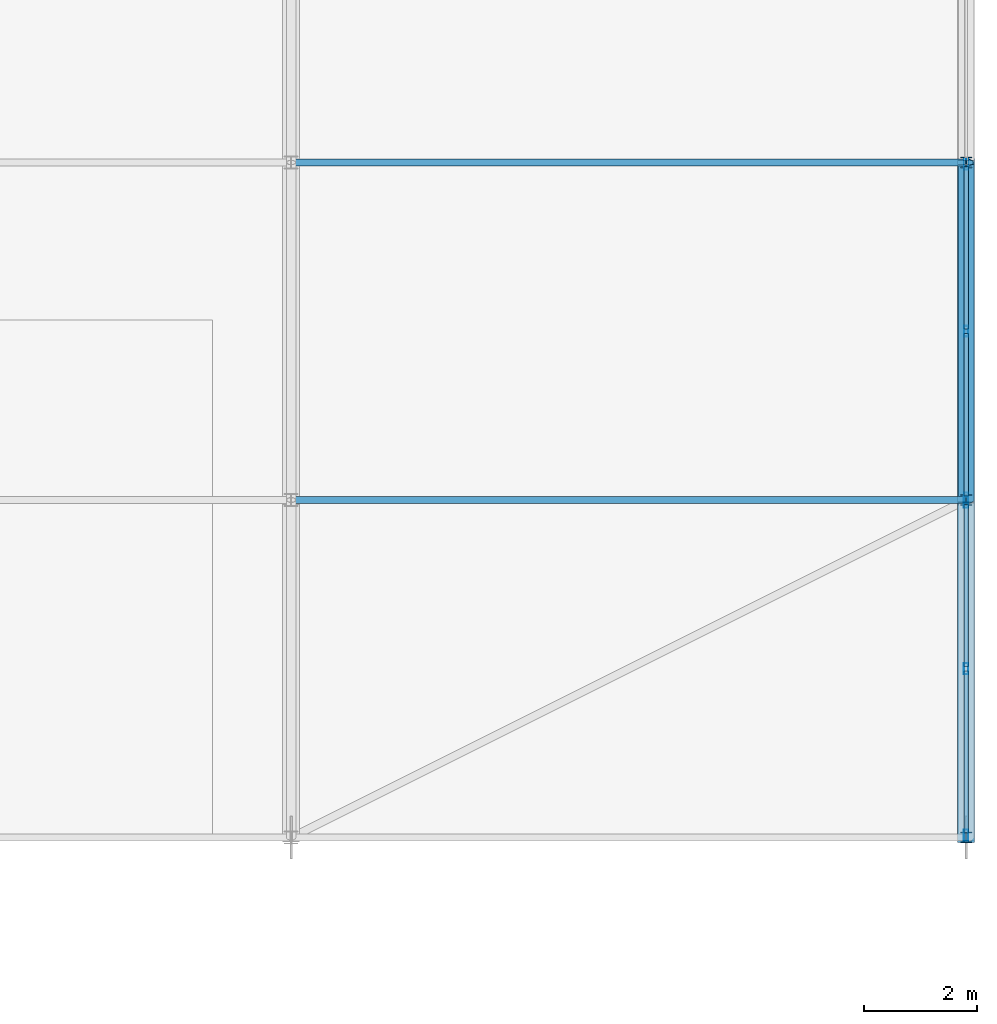
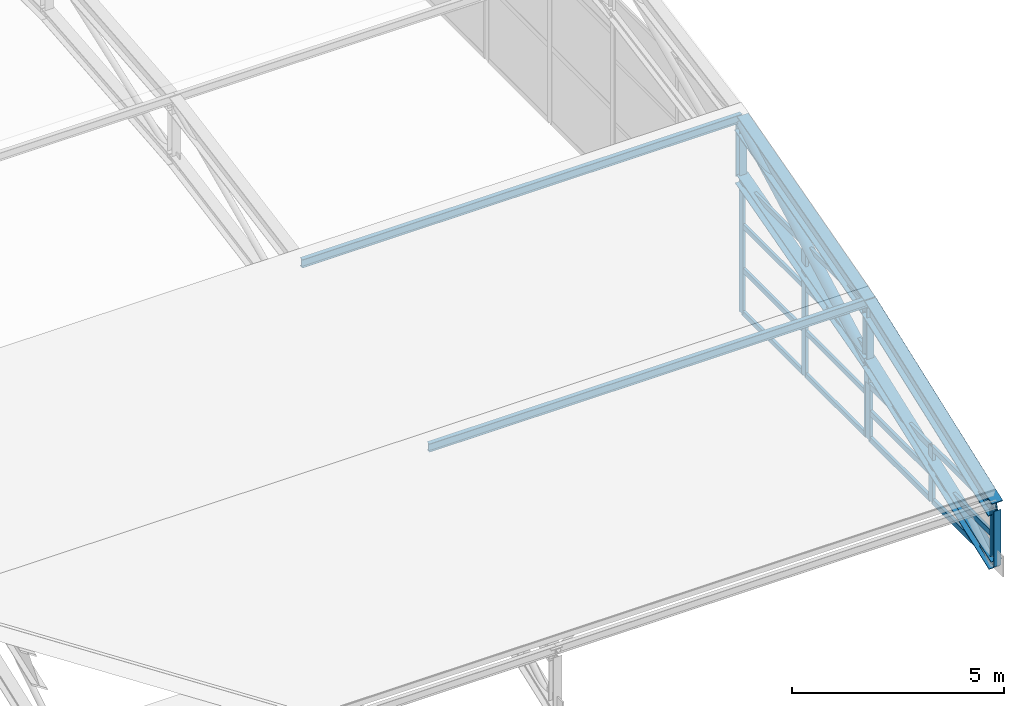
# One storey, part 106 of 204: 30 members, 2 elements without a shape of their own.
"""IFC4 building model written with IfcOpenShell, lengths in metres."""

import ifcopenshell
import ifcopenshell.guid

model = None  # the IFC model being written
_history = None  # IfcOwnerHistory: only IFC2X3 demands one
_inside = {}  # id of a spatial element -> (the spatial element, [elements in it])
_under = {}  # id of a project, library or spatial element -> (it, [spatial elements below it])
_declared = {}  # id of a project -> (the project, [libraries it declares])
_typed = {}  # id of a type object -> (the type object, [elements of that type])
_made_of = {}  # id of a material, layer set ... -> (it, [elements and type objects made of it])


def new_model(schema):
    """Start an empty IFC model of exactly this schema.

    Asked for "IFC4X3", IfcOpenShell would pick the latest addendum, in which some entities
    have other attributes; the version numbers below select the first issue.
    IFC2X3 requires an IfcOwnerHistory on every rooted entity: one is made here for all.
    """
    global model, _history
    if schema == "IFC4X3":
        model = ifcopenshell.file(schema_version=(4, 3, 0, 0))
    else:
        model = ifcopenshell.file(schema=schema)
    _inside.clear()
    _under.clear()
    _declared.clear()
    _typed.clear()
    _made_of.clear()
    _history = None
    if model.schema == "IFC2X3":
        org = make("IfcOrganization", Name="unknown")
        user = make(
            "IfcPersonAndOrganization",
            ThePerson=make("IfcPerson", FamilyName="unknown"),
            TheOrganization=org,
        )
        app = make(
            "IfcApplication",
            ApplicationDeveloper=org,
            Version="unknown",
            ApplicationFullName="unknown",
            ApplicationIdentifier="unknown",
        )
        _history = make(
            "IfcOwnerHistory",
            OwningUser=user,
            OwningApplication=app,
            ChangeAction="ADDED",
            CreationDate=0,
        )
    return model


def make(cls, **values):
    """One entity of the class cls with the attributes given. An attribute that is None is left unset."""
    return model.create_entity(
        cls, **{name: value for name, value in values.items() if value is not None}
    )


def rooted(cls, **values):
    """An entity with a GlobalId (a new one), such as an element, a storey or a relation."""
    return make(cls, GlobalId=ifcopenshell.guid.new(), OwnerHistory=_history, **values)


def si_unit(unit_type, name, prefix=None):
    """IfcSIUnit, for example si_unit("LENGTHUNIT", "METRE", prefix="MILLI")."""
    return make("IfcSIUnit", UnitType=unit_type, Prefix=prefix, Name=name)


def assignment(units):
    """IfcUnitAssignment: the units of a project."""
    return None if units is None else make("IfcUnitAssignment", Units=units)


def point(xyz):
    """IfcCartesianPoint."""
    return None if xyz is None else make("IfcCartesianPoint", Coordinates=xyz)


def direction(xyz):
    """IfcDirection."""
    return None if xyz is None else make("IfcDirection", DirectionRatios=xyz)


def frame(location, z_axis=None, x_axis=None):
    """IfcAxis2Placement3D, a coordinate frame: its origin and axes. An axis left out is left unset."""
    return make(
        "IfcAxis2Placement3D",
        Location=point(location),
        Axis=direction(z_axis),
        RefDirection=direction(x_axis),
    )


def frame_2d(location, x_axis=None):
    """IfcAxis2Placement2D, a coordinate frame in the plane: its origin and x axis."""
    return make(
        "IfcAxis2Placement2D", Location=point(location), RefDirection=direction(x_axis)
    )


def origin():
    """The frame at (0, 0, 0) with its axes left unset."""
    return frame((0.0, 0.0, 0.0))


def origin_2d():
    """The frame at (0, 0) in the plane with its x axis left unset."""
    return frame_2d((0.0, 0.0))


def place(relative_to, where):
    """IfcLocalPlacement: puts the frame where relative to a parent placement (None: the world)."""
    return make(
        "IfcLocalPlacement", PlacementRelTo=relative_to, RelativePlacement=where
    )


def context(
    kind, dimensions, precision=None, world=None, true_north=None, identifier=None
):
    """IfcGeometricRepresentationContext, for example the 3D "Model" context."""
    return make(
        "IfcGeometricRepresentationContext",
        ContextIdentifier=identifier,
        ContextType=kind,
        CoordinateSpaceDimension=dimensions,
        Precision=precision,
        WorldCoordinateSystem=world,
        TrueNorth=true_north,
    )


def subcontext(parent, identifier, kind, view, scale=None):
    """IfcGeometricRepresentationSubContext, for example "Body" below "Model"."""
    return make(
        "IfcGeometricRepresentationSubContext",
        ContextIdentifier=identifier,
        ContextType=kind,
        ParentContext=parent,
        TargetScale=scale,
        TargetView=view,
    )


def project(units=None, contexts=None):
    """IfcProject with its units and contexts."""
    return rooted(
        "IfcProject",
        Name="project",
        RepresentationContexts=contexts,
        UnitsInContext=assignment(units),
    )


def spatial(cls, under=None, at=None, **own):
    """A site, building, storey or space (cls), placed at a placement, below another one or the project."""
    s = rooted(cls, ObjectPlacement=at, **own)
    if under is not None:
        _under.setdefault(under.id(), (under, []))[1].append(s)
    return s


def profile(cls, at=None, kind="AREA", **sizes):
    """A parametric profile (cls). Its sizes go by their IFC names, for example OverallWidth=200.0."""
    return make(cls, ProfileType=kind, Position=at, **sizes)


def hollow_rectangle(**sizes):
    """IfcRectangleHollowProfileDef."""
    return profile("IfcRectangleHollowProfileDef", **sizes)


def hollow_circle(**sizes):
    """IfcCircleHollowProfileDef."""
    return profile("IfcCircleHollowProfileDef", **sizes)


def i_section(**sizes):
    """IfcIShapeProfileDef."""
    return profile("IfcIShapeProfileDef", **sizes)


def extrude(swept, where, along, depth):
    """IfcExtrudedAreaSolid: the profile swept, set in the frame where, extruded along a direction by depth."""
    return make(
        "IfcExtrudedAreaSolid",
        SweptArea=swept,
        Position=where,
        ExtrudedDirection=direction(along),
        Depth=depth,
    )


def shape(context_of_items, identifier, shape_type, items):
    """IfcShapeRepresentation: the items that make up one representation, for example the "Body"."""
    return make(
        "IfcShapeRepresentation",
        ContextOfItems=context_of_items,
        RepresentationIdentifier=identifier,
        RepresentationType=shape_type,
        Items=items,
    )


def material(Name=None, Category=None):
    """IfcMaterial."""
    return make("IfcMaterial", Name=Name, Category=Category)


def layer(
    of_material, thickness, ventilated=None, Name=None, Category=None, Priority=None
):
    """IfcMaterialLayer: one layer of a wall or slab, of a material (None: an air gap)."""
    return make(
        "IfcMaterialLayer",
        Material=of_material,
        LayerThickness=thickness,
        IsVentilated=ventilated,
        Name=Name,
        Category=Category,
        Priority=Priority,
    )


def layer_set(layers, Name=None):
    """IfcMaterialLayerSet."""
    return make("IfcMaterialLayerSet", MaterialLayers=layers, LayerSetName=Name)


def material_profile(
    of_material, cross_section, Name=None, Category=None, Priority=None
):
    """IfcMaterialProfile: a cross section and its material."""
    return make(
        "IfcMaterialProfile",
        Name=Name,
        Material=of_material,
        Profile=cross_section,
        Priority=Priority,
        Category=Category,
    )


def profile_set(profiles, Name=None, composite=None):
    """IfcMaterialProfileSet."""
    return make(
        "IfcMaterialProfileSet",
        Name=Name,
        MaterialProfiles=profiles,
        CompositeProfile=composite,
    )


def made_of(thing, what):
    """Note that an element or type object is made of a material, layer set ...; save() writes the relation."""
    if what is not None:
        _made_of.setdefault(what.id(), (what, []))[1].append(thing)
    return thing


def type_object(cls, material=None, **own):
    """A type object (cls), such as IfcWallType, which elements share."""
    return made_of(rooted(cls, **own), material)


def element(
    cls,
    number,
    at=None,
    inside=None,
    cuts=None,
    type_object=None,
    material=None,
    context=None,
    identifier="Body",
    shape_type=None,
    held_by="IfcProductDefinitionShape",
    body=None,
    shapes=None,
    **own,
):
    """One element of the class cls, such as IfcWall. Its Tag is "e" and its number.

    at: its placement. inside: the storey or other place that contains it. cuts: it is an
    opening in that element (IfcRelVoidsElement). A single representation is given by context,
    identifier, shape_type and body (its items); several are given by shapes. held_by: the class
    of the entity that holds the representations. save() writes the other relations.
    """
    e = rooted(cls, Tag="e%d" % number, ObjectPlacement=at, **own)
    if body is not None:
        shapes = [shape(context, identifier, shape_type, body)]
    if shapes is not None:
        e.Representation = make(held_by, Representations=shapes)
    if inside is not None:
        _inside.setdefault(inside.id(), (inside, []))[1].append(e)
    if cuts is not None:
        rooted(
            "IfcRelVoidsElement", RelatingBuildingElement=cuts, RelatedOpeningElement=e
        )
    if type_object is not None:
        _typed.setdefault(type_object.id(), (type_object, []))[1].append(e)
    return made_of(e, material)


def aggregate(whole, parts):
    """IfcRelAggregates: a whole, such as a stair, and the parts it consists of."""
    return rooted("IfcRelAggregates", RelatingObject=whole, RelatedObjects=parts)


def save(model, path):
    """Write the relations noted so far, then the file.

    IfcRelAggregates (storeys below a building ...), IfcRelContainedInSpatialStructure (elements
    in a storey), IfcRelDefinesByType, IfcRelAssociatesMaterial and IfcRelDeclares: one each for
    every whole, place, type object, material and project.
    """
    for whole, parts in _under.values():
        aggregate(whole, parts)
    for where, things in _inside.values():
        rooted(
            "IfcRelContainedInSpatialStructure",
            RelatedElements=things,
            RelatingStructure=where,
        )
    for kind, things in _typed.values():
        rooted("IfcRelDefinesByType", RelatedObjects=things, RelatingType=kind)
    for what, things in _made_of.values():
        rooted("IfcRelAssociatesMaterial", RelatedObjects=things, RelatingMaterial=what)
    for by, libraries in _declared.values():
        rooted("IfcRelDeclares", RelatingContext=by, RelatedDefinitions=libraries)
    model.write(path)


model = new_model("IFC4")

# Units and contexts
model_context = context("Model", 3, precision=1e-05, world=origin(), true_north=direction((0.0, 1.0)))
body_context = subcontext(model_context, "Body", "Model", "MODEL_VIEW")
ifc_project = project(units=[si_unit("LENGTHUNIT", "METRE"), si_unit("AREAUNIT", "SQUARE_METRE"), si_unit("VOLUMEUNIT", "CUBIC_METRE"), si_unit("PLANEANGLEUNIT", "RADIAN"), si_unit("MASSUNIT", "GRAM", prefix="KILO")], contexts=[model_context])

# Site, building, storey
site_placement = place(None, origin())
site = spatial("IfcSite", under=ifc_project, at=site_placement, CompositionType="ELEMENT")
building_placement = place(site_placement, origin())
building = spatial("IfcBuilding", under=site, at=building_placement, Name="Zilviju Railside Exhibition Hall", CompositionType="ELEMENT")
storey_placement = place(building_placement, frame((0.0, 0.0, 21.0)))
storey = spatial("IfcBuildingStorey", under=building, at=storey_placement, Name="RF", CompositionType="ELEMENT", Elevation=21.0)

# Curtain wall, members
ifc_material_1 = material(Name="Thermally broken aluminium-steel triple-glazed curtain wall", Category="steel")
ifc_layer_1 = layer(ifc_material_1, 0.179931640625)
ifc_layer_set_1 = layer_set([ifc_layer_1], Name="Thermally broken aluminium-steel triple-glazed curtain wall")
curtain_wall_type_1 = type_object("IfcCurtainWallType", Name="CW-BAY-19", PredefinedType="USERDEFINED", material=ifc_layer_set_1)
curtain_wall_1_placement = place(storey_placement, origin())
curtain_wall_1 = element("IfcCurtainWall", 1, at=curtain_wall_1_placement, inside=storey, type_object=curtain_wall_type_1, Name="South Hall Arch Tympanum Glazing East P2", ObjectType="GLAZED CURTAIN WALL", PredefinedType="USERDEFINED")
ifc_material_2 = material(Name="Thermally broken anodized aluminium mullion", Category="aluminium")
ifc_material_profile_1 = material_profile(ifc_material_2, hollow_rectangle(XDim=0.074951171875, YDim=0.18994140625, WallThickness=0.0048828125, at=origin_2d()), Name="MULLION 190x75x5")
ifc_profile_set_1 = profile_set([ifc_material_profile_1], Name="Thermally broken anodized aluminium mullion")
member_type_1 = type_object("IfcMemberType", Name="CWM-75x190", PredefinedType="MULLION", material=ifc_profile_set_1)
member_1_placement = place(storey_placement, frame((216.0, 11.96240234375, -7.800048828125), z_axis=(0.0, 0.0, 1.0), x_axis=(1.0, 0.0, 0.0)))
member_1 = element("IfcMember", 2, at=member_1_placement, type_object=member_type_1, Name="CW-19 mullion 1", PredefinedType="MULLION", context=body_context, shape_type="SweptSolid", body=[
    extrude(hollow_rectangle(XDim=0.074951171875, YDim=0.18994140625, WallThickness=0.0048828125, at=origin_2d()), origin(), (0.0, 0.0, 1.0), 3.81201171875),
])
member_2_placement = place(storey_placement, frame((216.0, 9.0, -7.800048828125), z_axis=(0.0, 0.0, 1.0), x_axis=(1.0, 0.0, 0.0)))
member_2 = element("IfcMember", 3, at=member_2_placement, type_object=member_type_1, Name="CW-19 mullion 2", PredefinedType="MULLION", context=body_context, shape_type="SweptSolid", body=[
    extrude(hollow_rectangle(XDim=0.074951171875, YDim=0.18994140625, WallThickness=0.0048828125, at=origin_2d()), origin(), (0.0, 0.0, 1.0), 3.81201171875),
])
member_3_placement = place(storey_placement, frame((216.0, 6.03759765625, -7.800048828125), z_axis=(0.0, 0.0, 1.0), x_axis=(1.0, 0.0, 0.0)))
member_3 = element("IfcMember", 4, at=member_3_placement, type_object=member_type_1, Name="CW-19 mullion 3", PredefinedType="MULLION", context=body_context, shape_type="SweptSolid", body=[
    extrude(hollow_rectangle(XDim=0.074951171875, YDim=0.18994140625, WallThickness=0.0048828125, at=origin_2d()), origin(), (0.0, 0.0, 1.0), 3.81201171875),
])

ifc_layer_2 = layer(ifc_material_1, 0.179931640625)
ifc_layer_set_2 = layer_set([ifc_layer_2], Name="Thermally broken aluminium-steel triple-glazed curtain wall")
curtain_wall_type_2 = type_object("IfcCurtainWallType", Name="CW-BAY-18", PredefinedType="USERDEFINED", material=ifc_layer_set_2)
curtain_wall_2_placement = place(storey_placement, origin())
curtain_wall_2 = element("IfcCurtainWall", 5, at=curtain_wall_2_placement, inside=storey, type_object=curtain_wall_type_2, Name="South Hall Arch Tympanum Glazing East P1", ObjectType="GLAZED CURTAIN WALL", PredefinedType="USERDEFINED")
ifc_material_profile_2 = material_profile(ifc_material_2, hollow_rectangle(XDim=0.080078125, YDim=0.199951171875, WallThickness=0.0048828125, at=origin_2d()), Name="MULLION 200x80x5")
ifc_profile_set_2 = profile_set([ifc_material_profile_2], Name="Thermally broken anodized aluminium mullion")
member_type_2 = type_object("IfcMemberType", Name="CWM-80x200", PredefinedType="MULLION", material=ifc_profile_set_2)
member_4_placement = place(storey_placement, frame((216.0, 5.9599609375, -7.800048828125), z_axis=(0.0, 0.0, 1.0), x_axis=(1.0, 0.0, 0.0)))
member_4 = element("IfcMember", 6, at=member_4_placement, type_object=member_type_2, Name="CW-18 mullion 1", PredefinedType="MULLION", context=body_context, shape_type="SweptSolid", body=[
    extrude(hollow_rectangle(XDim=0.080078125, YDim=0.199951171875, WallThickness=0.0048828125, at=origin_2d()), origin(), (0.0, 0.0, 1.0), 1.60009765625),
])
member_5_placement = place(storey_placement, frame((216.0, 3.0, -7.800048828125), z_axis=(0.0, 0.0, 1.0), x_axis=(1.0, 0.0, 0.0)))
member_5 = element("IfcMember", 7, at=member_5_placement, type_object=member_type_2, Name="CW-18 mullion 2", PredefinedType="MULLION", context=body_context, shape_type="SweptSolid", body=[
    extrude(hollow_rectangle(XDim=0.080078125, YDim=0.199951171875, WallThickness=0.0048828125, at=origin_2d()), origin(), (0.0, 0.0, 1.0), 1.60009765625),
])
member_6_placement = place(storey_placement, frame((216.0, 0.0400390625, -7.800048828125), z_axis=(0.0, 0.0, 1.0), x_axis=(1.0, 0.0, 0.0)))
member_6 = element("IfcMember", 8, at=member_6_placement, type_object=member_type_2, Name="CW-18 mullion 3", PredefinedType="MULLION", context=body_context, shape_type="SweptSolid", body=[
    extrude(hollow_rectangle(XDim=0.080078125, YDim=0.199951171875, WallThickness=0.0048828125, at=origin_2d()), origin(), (0.0, 0.0, 1.0), 1.60009765625),
])

# Member
ifc_material_3 = material(Name="Thermally broken anodized aluminium transom", Category="aluminium")
ifc_material_profile_3 = material_profile(ifc_material_3, hollow_rectangle(XDim=0.074951171875, YDim=0.139892578125, WallThickness=0.0048828125, at=origin_2d()), Name="TRANSOM 140x75x5")
ifc_profile_set_3 = profile_set([ifc_material_profile_3], Name="Thermally broken anodized aluminium transom")
member_type_3 = type_object("IfcMemberType", Name="CWT-75x140", PredefinedType="USERDEFINED", material=ifc_profile_set_3)
member_7_placement = place(storey_placement, frame((216.0, 11.925048828125, -7.762451171875), z_axis=(0.0, -1.0, 0.0), x_axis=(1.0, 0.0, 0.0)))
member_7 = element("IfcMember", 9, at=member_7_placement, type_object=member_type_3, Name="CW-19 transom 1.1", ObjectType="TRANSOM", PredefinedType="USERDEFINED", context=body_context, shape_type="SweptSolid", body=[
    extrude(hollow_rectangle(XDim=0.074951171875, YDim=0.139892578125, WallThickness=0.0048828125, at=origin_2d()), origin(), (0.0, 0.0, 1.0), 2.887451171875),
])

member_8_placement = place(storey_placement, frame((216.0, 11.925048828125, -6.529052734375), z_axis=(0.0, -1.0, 0.0), x_axis=(1.0, 0.0, 0.0)))
member_8 = element("IfcMember", 10, at=member_8_placement, type_object=member_type_3, Name="CW-19 transom 1.2", ObjectType="TRANSOM", PredefinedType="USERDEFINED", context=body_context, shape_type="SweptSolid", body=[
    extrude(hollow_rectangle(XDim=0.074951171875, YDim=0.139892578125, WallThickness=0.0048828125, at=origin_2d()), origin(), (0.0, 0.0, 1.0), 2.887451171875),
])

member_9_placement = place(storey_placement, frame((216.0, 11.925048828125, -5.259033203125), z_axis=(0.0, -1.0, 0.0), x_axis=(1.0, 0.0, 0.0)))
member_9 = element("IfcMember", 11, at=member_9_placement, type_object=member_type_3, Name="CW-19 transom 1.3", ObjectType="TRANSOM", PredefinedType="USERDEFINED", context=body_context, shape_type="SweptSolid", body=[
    extrude(hollow_rectangle(XDim=0.074951171875, YDim=0.139892578125, WallThickness=0.0048828125, at=origin_2d()), origin(), (0.0, 0.0, 1.0), 2.887451171875),
])

member_10_placement = place(storey_placement, frame((216.0, 11.925048828125, -4.025390625), z_axis=(0.0, -1.0, 0.0), x_axis=(1.0, 0.0, 0.0)))
member_10 = element("IfcMember", 12, at=member_10_placement, type_object=member_type_3, Name="CW-19 transom 1.4", ObjectType="TRANSOM", PredefinedType="USERDEFINED", context=body_context, shape_type="SweptSolid", body=[
    extrude(hollow_rectangle(XDim=0.074951171875, YDim=0.139892578125, WallThickness=0.0048828125, at=origin_2d()), origin(), (0.0, 0.0, 1.0), 2.887451171875),
])

member_11_placement = place(storey_placement, frame((216.0, 8.96240234375, -7.762451171875), z_axis=(0.0, -1.0, 0.0), x_axis=(1.0, 0.0, 0.0)))
member_11 = element("IfcMember", 13, at=member_11_placement, type_object=member_type_3, Name="CW-19 transom 2.1", ObjectType="TRANSOM", PredefinedType="USERDEFINED", context=body_context, shape_type="SweptSolid", body=[
    extrude(hollow_rectangle(XDim=0.074951171875, YDim=0.139892578125, WallThickness=0.0048828125, at=origin_2d()), origin(), (0.0, 0.0, 1.0), 2.887451171875),
])

member_12_placement = place(storey_placement, frame((216.0, 8.96240234375, -6.529052734375), z_axis=(0.0, -1.0, 0.0), x_axis=(1.0, 0.0, 0.0)))
member_12 = element("IfcMember", 14, at=member_12_placement, type_object=member_type_3, Name="CW-19 transom 2.2", ObjectType="TRANSOM", PredefinedType="USERDEFINED", context=body_context, shape_type="SweptSolid", body=[
    extrude(hollow_rectangle(XDim=0.074951171875, YDim=0.139892578125, WallThickness=0.0048828125, at=origin_2d()), origin(), (0.0, 0.0, 1.0), 2.887451171875),
])

member_13_placement = place(storey_placement, frame((216.0, 8.96240234375, -5.259033203125), z_axis=(0.0, -1.0, 0.0), x_axis=(1.0, 0.0, 0.0)))
member_13 = element("IfcMember", 15, at=member_13_placement, type_object=member_type_3, Name="CW-19 transom 2.3", ObjectType="TRANSOM", PredefinedType="USERDEFINED", context=body_context, shape_type="SweptSolid", body=[
    extrude(hollow_rectangle(XDim=0.074951171875, YDim=0.139892578125, WallThickness=0.0048828125, at=origin_2d()), origin(), (0.0, 0.0, 1.0), 2.887451171875),
])

member_14_placement = place(storey_placement, frame((216.0, 8.96240234375, -4.025390625), z_axis=(0.0, -1.0, 0.0), x_axis=(1.0, 0.0, 0.0)))
member_14 = element("IfcMember", 16, at=member_14_placement, type_object=member_type_3, Name="CW-19 transom 2.4", ObjectType="TRANSOM", PredefinedType="USERDEFINED", context=body_context, shape_type="SweptSolid", body=[
    extrude(hollow_rectangle(XDim=0.074951171875, YDim=0.139892578125, WallThickness=0.0048828125, at=origin_2d()), origin(), (0.0, 0.0, 1.0), 2.887451171875),
])

aggregate(curtain_wall_1, [member_1, member_2, member_3, member_7, member_8, member_9, member_10, member_11, member_12, member_13, member_14])

ifc_material_profile_4 = material_profile(ifc_material_3, hollow_rectangle(XDim=0.080078125, YDim=0.159912109375, WallThickness=0.0048828125, at=origin_2d()), Name="TRANSOM 160x80x5")
ifc_profile_set_4 = profile_set([ifc_material_profile_4], Name="Thermally broken anodized aluminium transom")
member_type_4 = type_object("IfcMemberType", Name="CWT-80x160", PredefinedType="USERDEFINED", material=ifc_profile_set_4)
member_15_placement = place(storey_placement, frame((216.0, 5.919921875, -7.760009765625), z_axis=(0.0, -1.0, 0.0), x_axis=(1.0, 0.0, 0.0)))
member_15 = element("IfcMember", 17, at=member_15_placement, type_object=member_type_4, Name="CW-18 transom 1.1", ObjectType="TRANSOM", PredefinedType="USERDEFINED", context=body_context, shape_type="SweptSolid", body=[
    extrude(hollow_rectangle(XDim=0.080078125, YDim=0.159912109375, WallThickness=0.0048828125, at=origin_2d()), origin(), (0.0, 0.0, 1.0), 2.8798828125),
])

member_16_placement = place(storey_placement, frame((216.0, 5.919921875, -7.0), z_axis=(0.0, -1.0, 0.0), x_axis=(1.0, 0.0, 0.0)))
member_16 = element("IfcMember", 18, at=member_16_placement, type_object=member_type_4, Name="CW-18 transom 1.2", ObjectType="TRANSOM", PredefinedType="USERDEFINED", context=body_context, shape_type="SweptSolid", body=[
    extrude(hollow_rectangle(XDim=0.080078125, YDim=0.159912109375, WallThickness=0.0048828125, at=origin_2d()), origin(), (0.0, 0.0, 1.0), 2.8798828125),
])

member_17_placement = place(storey_placement, frame((216.0, 5.919921875, -6.239990234375), z_axis=(0.0, -1.0, 0.0), x_axis=(1.0, 0.0, 0.0)))
member_17 = element("IfcMember", 19, at=member_17_placement, type_object=member_type_4, Name="CW-18 transom 1.3", ObjectType="TRANSOM", PredefinedType="USERDEFINED", context=body_context, shape_type="SweptSolid", body=[
    extrude(hollow_rectangle(XDim=0.080078125, YDim=0.159912109375, WallThickness=0.0048828125, at=origin_2d()), origin(), (0.0, 0.0, 1.0), 2.8798828125),
])

member_18_placement = place(storey_placement, frame((216.0, 2.9599609375, -7.760009765625), z_axis=(0.0, -1.0, 0.0), x_axis=(1.0, 0.0, 0.0)))
member_18 = element("IfcMember", 20, at=member_18_placement, type_object=member_type_4, Name="CW-18 transom 2.1", ObjectType="TRANSOM", PredefinedType="USERDEFINED", context=body_context, shape_type="SweptSolid", body=[
    extrude(hollow_rectangle(XDim=0.080078125, YDim=0.159912109375, WallThickness=0.0048828125, at=origin_2d()), origin(), (0.0, 0.0, 1.0), 2.8798828125),
])

member_19_placement = place(storey_placement, frame((216.0, 2.9599609375, -7.0), z_axis=(0.0, -1.0, 0.0), x_axis=(1.0, 0.0, 0.0)))
member_19 = element("IfcMember", 21, at=member_19_placement, type_object=member_type_4, Name="CW-18 transom 2.2", ObjectType="TRANSOM", PredefinedType="USERDEFINED", context=body_context, shape_type="SweptSolid", body=[
    extrude(hollow_rectangle(XDim=0.080078125, YDim=0.159912109375, WallThickness=0.0048828125, at=origin_2d()), origin(), (0.0, 0.0, 1.0), 2.8798828125),
])

member_20_placement = place(storey_placement, frame((216.0, 2.9599609375, -6.239990234375), z_axis=(0.0, -1.0, 0.0), x_axis=(1.0, 0.0, 0.0)))
member_20 = element("IfcMember", 22, at=member_20_placement, type_object=member_type_4, Name="CW-18 transom 2.3", ObjectType="TRANSOM", PredefinedType="USERDEFINED", context=body_context, shape_type="SweptSolid", body=[
    extrude(hollow_rectangle(XDim=0.080078125, YDim=0.159912109375, WallThickness=0.0048828125, at=origin_2d()), origin(), (0.0, 0.0, 1.0), 2.8798828125),
])

aggregate(curtain_wall_2, [member_4, member_5, member_6, member_15, member_16, member_17, member_18, member_19, member_20])

# Members
ifc_material_4 = material(Name="Steel S355ML", Category="steel")
ifc_material_profile_5 = material_profile(ifc_material_4, hollow_circle(Radius=0.136474609375, WallThickness=0.012451171875, at=origin_2d()), Name="CHS 273.0x12.5")
ifc_profile_set_5 = profile_set([ifc_material_profile_5], Name="Steel S355ML")
member_type_5 = type_object("IfcMemberType", Name="TR-BR-CHS273", PredefinedType="BRACE", material=ifc_profile_set_5)
member_21_placement = place(storey_placement, frame((216.0, 6.0, -5.587646484375), z_axis=(0.0, 0.87872232578, 0.477333294644), x_axis=(-1.0, 0.0, 0.0)))
element("IfcMember", 23, at=member_21_placement, inside=storey, type_object=member_type_5, Name="V1 Parabolic Arch Web Diagonal X=216.0 P2", PredefinedType="BRACE", context=body_context, shape_type="SweptSolid", body=[
    extrude(hollow_circle(Radius=0.136474609375, WallThickness=0.012451171875, at=origin_2d()), origin(), (0.0, 0.0, 1.0), 6.828125),
])
ifc_material_profile_6 = material_profile(ifc_material_4, i_section(OverallWidth=0.300048828125, OverallDepth=0.300048828125, WebThickness=0.010986328125, FlangeThickness=0.01904296875, at=origin_2d()), Name="HEB 300")
ifc_profile_set_6 = profile_set([ifc_material_profile_6], Name="Steel S355ML")
member_type_6 = type_object("IfcMemberType", Name="TR-CH-HEB300", PredefinedType="CHORD", material=ifc_profile_set_6)
member_22_placement = place(storey_placement, frame((216.0, 0.0, -7.800048828125), z_axis=(0.0, 0.938247917098, 0.345963648468), x_axis=(-1.0, 0.0, 0.0)))
element("IfcMember", 24, at=member_22_placement, inside=storey, type_object=member_type_6, Name="V1 Parabolic Arch Bottom Chord X=216.0 P1", PredefinedType="CHORD", context=body_context, shape_type="SweptSolid", body=[
    extrude(i_section(OverallWidth=0.300048828125, OverallDepth=0.300048828125, WebThickness=0.010986328125, FlangeThickness=0.01904296875, at=origin_2d()), origin(), (0.0, 0.0, 1.0), 6.39501953125),
])
member_23_placement = place(storey_placement, frame((216.0, 6.0, -5.587646484375), z_axis=(0.0, 0.963827412659, 0.266527144223), x_axis=(-1.0, 0.0, 0.0)))
element("IfcMember", 25, at=member_23_placement, inside=storey, type_object=member_type_6, Name="V1 Parabolic Arch Bottom Chord X=216.0 P2", PredefinedType="CHORD", context=body_context, shape_type="SweptSolid", body=[
    extrude(i_section(OverallWidth=0.300048828125, OverallDepth=0.300048828125, WebThickness=0.010986328125, FlangeThickness=0.01904296875, at=origin_2d()), origin(), (0.0, 0.0, 1.0), 6.22509765625),
])
ifc_material_profile_7 = material_profile(ifc_material_4, i_section(OverallWidth=0.300048828125, OverallDepth=0.5, WebThickness=0.014404296875, FlangeThickness=0.028076171875, at=origin_2d()), Name="HEB 500")
ifc_profile_set_7 = profile_set([ifc_material_profile_7], Name="Steel S355ML")
member_type_7 = type_object("IfcMemberType", Name="TR-CH-HEB500-ML", PredefinedType="CHORD", material=ifc_profile_set_7)
member_24_placement = place(storey_placement, frame((216.0, 0.0, -6.199951171875), z_axis=(0.0, 0.938247917098, 0.345963648468), x_axis=(-1.0, 0.0, 0.0)))
element("IfcMember", 26, at=member_24_placement, inside=storey, type_object=member_type_7, Name="V1 Parabolic Arch Top Chord X=216.0 P1", PredefinedType="CHORD", context=body_context, shape_type="SweptSolid", body=[
    extrude(i_section(OverallWidth=0.300048828125, OverallDepth=0.5, WebThickness=0.014404296875, FlangeThickness=0.028076171875, at=origin_2d()), origin(), (0.0, 0.0, 1.0), 6.39501953125),
])
member_25_placement = place(storey_placement, frame((216.0, 6.0, -3.987548828125), z_axis=(0.0, 0.963827412659, 0.266527144223), x_axis=(-1.0, 0.0, 0.0)))
element("IfcMember", 27, at=member_25_placement, inside=storey, type_object=member_type_7, Name="V1 Parabolic Arch Top Chord X=216.0 P2", PredefinedType="CHORD", context=body_context, shape_type="SweptSolid", body=[
    extrude(i_section(OverallWidth=0.300048828125, OverallDepth=0.5, WebThickness=0.014404296875, FlangeThickness=0.028076171875, at=origin_2d()), origin(), (0.0, 0.0, 1.0), 6.22509765625),
])
ifc_material_profile_8 = material_profile(ifc_material_4, i_section(OverallWidth=0.199951171875, OverallDepth=0.18994140625, WebThickness=0.006591796875, FlangeThickness=0.010009765625, at=origin_2d()), Name="HEA 200")
ifc_profile_set_8 = profile_set([ifc_material_profile_8], Name="Steel S355ML")
member_type_8 = type_object("IfcMemberType", Name="TR-POST-HEA200", PredefinedType="POST", material=ifc_profile_set_8)
for number, where, z_axis, x_axis, name in (
    (28, (216.0, 0.0, -7.800048828125), (0.0, 0.0, 1.0), (1.0, 0.0, 0.0), "V1 Parabolic Arch Web Post X=216.0 N0"),
    (29, (216.0, 6.0, -5.587646484375), (0.0, 0.0, 1.0), (1.0, 0.0, 0.0), "V1 Parabolic Arch Web Post X=216.0 N1"),
    (30, (216.0, 12.0, -3.928466796875), (0.0, 0.0, 1.0), (1.0, 0.0, 0.0), "V1 Parabolic Arch Web Post X=216.0 N2"),
):
    element("IfcMember", number, at=place(storey_placement, frame(where, z_axis=z_axis, x_axis=x_axis)), inside=storey, type_object=member_type_8, Name=name, PredefinedType="POST", context=body_context, shape_type="SweptSolid", body=[
        extrude(i_section(OverallWidth=0.199951171875, OverallDepth=0.18994140625, WebThickness=0.006591796875, FlangeThickness=0.010009765625, at=origin_2d()), origin(), (0.0, 0.0, 1.0), 1.60009765625),
    ])
ifc_material_5 = material(Name="Steel S355J2", Category="steel")
ifc_material_profile_9 = material_profile(ifc_material_5, i_section(OverallWidth=0.1201171875, OverallDepth=0.239990234375, WebThickness=0.006103515625, FlangeThickness=0.009765625, at=origin_2d()), Name="IPE 240")
ifc_profile_set_9 = profile_set([ifc_material_profile_9], Name="Steel S355J2")
member_type_9 = type_object("IfcMemberType", Name="TR-PUR-IPE240", PredefinedType="PURLIN", material=ifc_profile_set_9)
for number, where, z_axis, x_axis, name in (
    (31, (204.0, 6.0, -3.864990234375), (1.0, 0.0, 0.0), (0.0, 1.0, 0.0), "V1 Barrel Vault Roof Purlin Y=6.0 (204.0..216.0)"),
    (32, (204.0, 12.0, -2.193603515625), (1.0, 0.0, 0.0), (0.0, 1.0, 0.0), "V1 Barrel Vault Roof Purlin Y=12.0 (204.0..216.0)"),
):
    element("IfcMember", number, at=place(storey_placement, frame(where, z_axis=z_axis, x_axis=x_axis)), inside=storey, type_object=member_type_9, Name=name, PredefinedType="PURLIN", context=body_context, shape_type="SweptSolid", body=[
        extrude(i_section(OverallWidth=0.1201171875, OverallDepth=0.239990234375, WebThickness=0.006103515625, FlangeThickness=0.009765625, at=origin_2d()), origin(), (0.0, 0.0, 1.0), 12.0),
    ])

save(model, "model.ifc")
